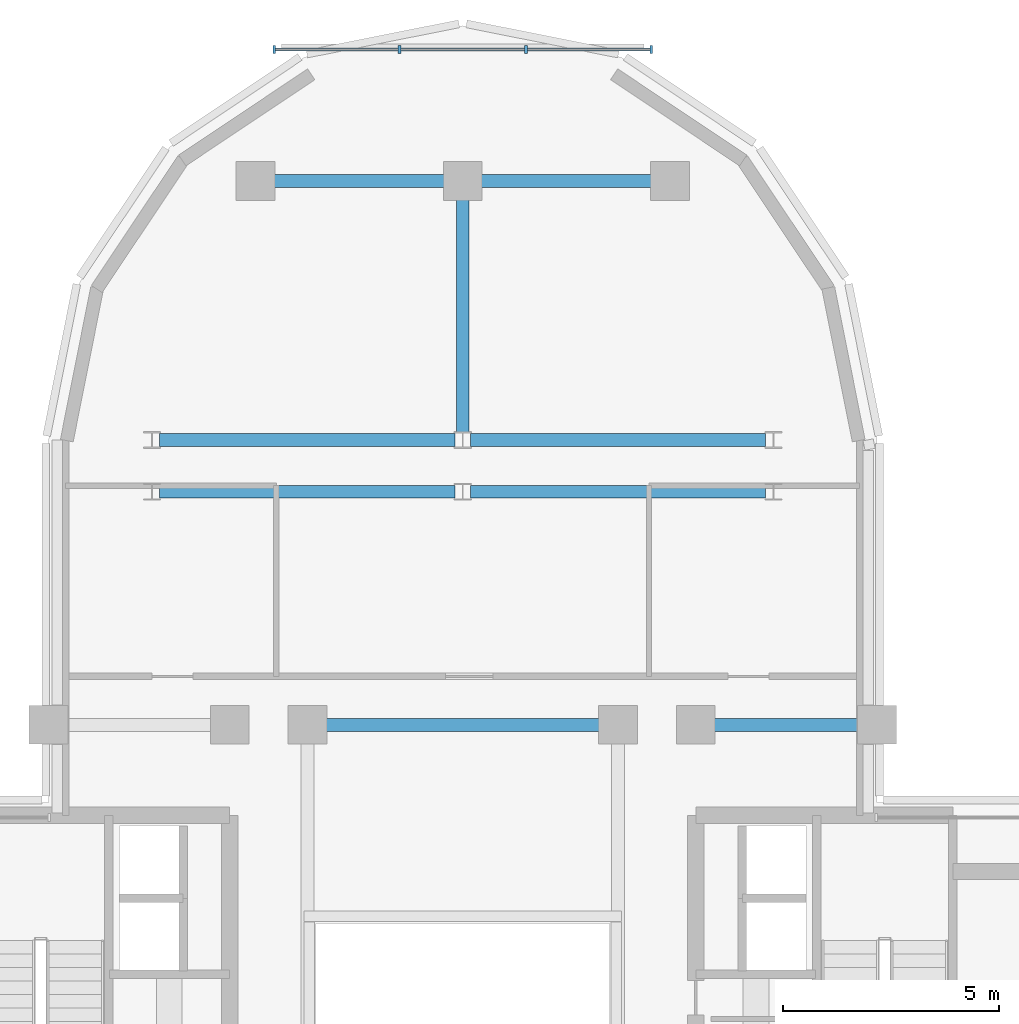
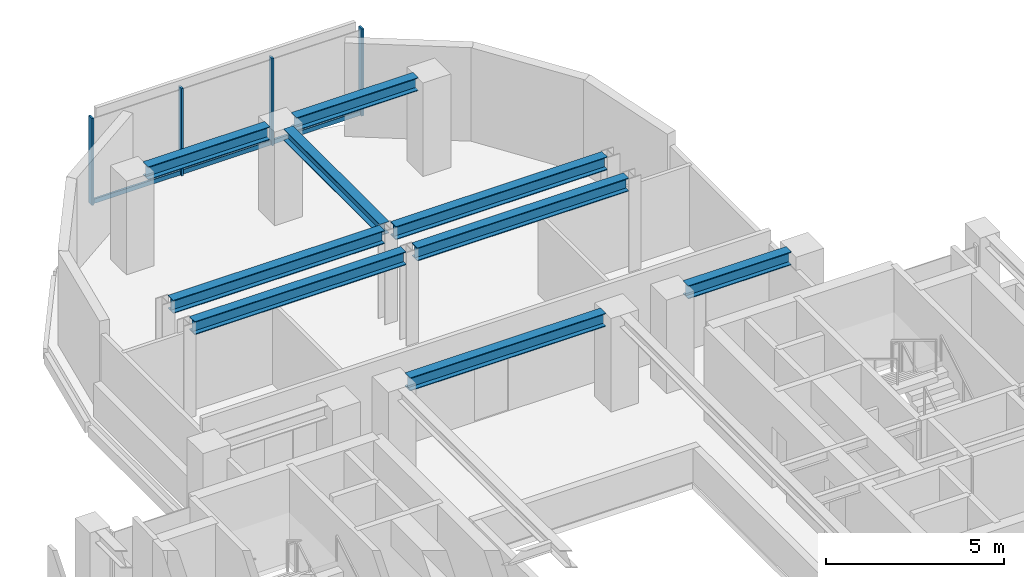
# One storey, part 4 of 11: 9 beams, 7 members, 1 element without a shape of its own.
"""IFC4 building model written with IfcOpenShell, lengths in metres."""

from ifc_helpers import new_model, si_unit, direction, frame, origin, origin_2d, place, context, subcontext, project, spatial, rectangle, i_section, extrude, source, transform, mapped, material, material_profile, profile_set, type_object, element, aggregate, save


model = new_model("IFC4")

# Units and contexts
model_context = context("Model", 3, precision=1e-05, world=origin(), true_north=direction((0.0, 1.0)))
body_context = subcontext(model_context, "Body", "Model", "MODEL_VIEW")
ifc_project = project(units=[si_unit("LENGTHUNIT", "METRE"), si_unit("AREAUNIT", "SQUARE_METRE"), si_unit("VOLUMEUNIT", "CUBIC_METRE"), si_unit("PLANEANGLEUNIT", "RADIAN"), si_unit("MASSUNIT", "GRAM", prefix="KILO")], contexts=[model_context])

# Site, building, storey
site_placement = place(None, origin())
site = spatial("IfcSite", under=ifc_project, at=site_placement, CompositionType="ELEMENT")
building_placement = place(site_placement, origin())
building = spatial("IfcBuilding", under=site, at=building_placement, Name="Keilestroom Media Tower", CompositionType="ELEMENT")
storey_placement = place(building_placement, frame((0.0, 0.0, 174.0)))
storey = spatial("IfcBuildingStorey", under=building, at=storey_placement, Name="L47", CompositionType="ELEMENT", Elevation=174.0)

# Beams
ifc_material_1 = material(Name="Steel S355", Category="steel")
ifc_material_profile_1 = material_profile(ifc_material_1, i_section(OverallWidth=0.300048828125, OverallDepth=0.449951171875, WebThickness=0.011962890625, FlangeThickness=0.02587890625, at=origin_2d()), Name="HEB 450")
ifc_profile_set_1 = profile_set([ifc_material_profile_1], Name="Steel S355")
beam_type_1 = type_object("IfcBeamType", Name="Primary-Structural-Girder-HEB-450", PredefinedType="BEAM", material=ifc_profile_set_1)
shared_shape_1 = source(origin(), body_context, "Body", "SweptSolid", [
    extrude(i_section(OverallWidth=0.300048828125, OverallDepth=0.449951171875, WebThickness=0.011962890625, FlangeThickness=0.02587890625, at=origin_2d()), origin(), (0.0, 0.0, 1.0), 3.940185546875),
])
for number, where, z_axis, x_axis, name in (
    (1, (-4.3701171875, 21.60009765625, 2.97509765625), (1.0, 0.0, 0.0), (0.0, 1.0, 0.0), "L47 Beam BG-7 BM-L47-EW-029"),
    (2, (0.429931640625, 21.60009765625, 2.97509765625), (1.0, 0.0, 0.0), (0.0, 1.0, 0.0), "L47 Beam BG-7 BM-L47-EW-030"),
):
    element("IfcBeam", number, at=place(storey_placement, frame(where, z_axis=z_axis, x_axis=x_axis)), inside=storey, type_object=beam_type_1, Name=name, PredefinedType="BEAM", context=body_context, shape_type="MappedRepresentation", body=[
        mapped(shared_shape_1, transform((0.0, 0.0, 0.0), x_axis=(1.0, 0.0, 0.0), y_axis=(0.0, 1.0, 0.0), z_axis=(0.0, 0.0, 1.0), scale=1.0)),
    ])
shared_shape_2 = source(origin(), body_context, "Body", "SweptSolid", [
    extrude(i_section(OverallWidth=0.300048828125, OverallDepth=0.449951171875, WebThickness=0.011962890625, FlangeThickness=0.02587890625, at=origin_2d()), origin(), (0.0, 0.0, 1.0), 6.842041015625),
])
for number, where, z_axis, x_axis, name in (
    (3, (-7.02099609375, 14.39990234375, 2.97509765625), (1.0, 0.0, 0.0), (0.0, 1.0, 0.0), "L47 Beam BG-7 BM-L47-EW-025"),
    (4, (0.178955078125, 14.39990234375, 2.97509765625), (1.0, 0.0, 0.0), (0.0, 1.0, 0.0), "L47 Beam BG-7 BM-L47-EW-026"),
    (5, (-7.02099609375, 15.60009765625, 2.97509765625), (1.0, 0.0, 0.0), (0.0, 1.0, 0.0), "L47 Beam BG-7 BM-L47-EW-027"),
    (6, (0.178955078125, 15.60009765625, 2.97509765625), (1.0, 0.0, 0.0), (0.0, 1.0, 0.0), "L47 Beam BG-7 BM-L47-EW-028"),
):
    element("IfcBeam", number, at=place(storey_placement, frame(where, z_axis=z_axis, x_axis=x_axis)), inside=storey, type_object=beam_type_1, Name=name, PredefinedType="BEAM", context=body_context, shape_type="MappedRepresentation", body=[
        mapped(shared_shape_2, transform((0.0, 0.0, 0.0), x_axis=(1.0, 0.0, 0.0), y_axis=(0.0, 1.0, 0.0), z_axis=(0.0, 0.0, 1.0), scale=1.0)),
    ])
shared_shape_3 = source(origin(), body_context, "Body", "SweptSolid", [
    extrude(i_section(OverallWidth=0.300048828125, OverallDepth=0.449951171875, WebThickness=0.011962890625, FlangeThickness=0.02587890625, at=origin_2d()), origin(), (0.0, 0.0, 1.0), 3.33984375),
])
beam_1_placement = place(storey_placement, frame((5.830078125, 9.0, 2.97509765625), z_axis=(1.0, 0.0, 0.0), x_axis=(0.0, 1.0, 0.0)))
element("IfcBeam", 7, at=beam_1_placement, inside=storey, type_object=beam_type_1, Name="L47 Beam BG-7 BM-L47-EW-024", PredefinedType="BEAM", context=body_context, shape_type="MappedRepresentation", body=[
    mapped(shared_shape_3, transform((0.0, 0.0, 0.0), x_axis=(1.0, 0.0, 0.0), y_axis=(0.0, 1.0, 0.0), z_axis=(0.0, 0.0, 1.0), scale=1.0)),
])
shared_shape_4 = source(origin(), body_context, "Body", "SweptSolid", [
    extrude(i_section(OverallWidth=0.300048828125, OverallDepth=0.449951171875, WebThickness=0.011962890625, FlangeThickness=0.02587890625, at=origin_2d()), origin(), (0.0, 0.0, 1.0), 6.33984375),
])
beam_2_placement = place(storey_placement, frame((-3.169921875, 9.0, 2.97509765625), z_axis=(1.0, 0.0, 0.0), x_axis=(0.0, 1.0, 0.0)))
element("IfcBeam", 8, at=beam_2_placement, inside=storey, type_object=beam_type_1, Name="L47 Beam BG-7 BM-L47-EW-022", PredefinedType="BEAM", context=body_context, shape_type="MappedRepresentation", body=[
    mapped(shared_shape_4, transform((0.0, 0.0, 0.0), x_axis=(1.0, 0.0, 0.0), y_axis=(0.0, 1.0, 0.0), z_axis=(0.0, 0.0, 1.0), scale=1.0)),
])
ifc_material_profile_2 = material_profile(ifc_material_1, i_section(OverallWidth=0.300048828125, OverallDepth=0.39990234375, WebThickness=0.011474609375, FlangeThickness=0.02392578125, at=origin_2d()), Name="HEB 400")
ifc_profile_set_2 = profile_set([ifc_material_profile_2], Name="Steel S355")
beam_type_2 = type_object("IfcBeamType", Name="Primary-Structural-Girder-HEB-400", PredefinedType="BEAM", material=ifc_profile_set_2)
shared_shape_5 = source(origin(), body_context, "Body", "SweptSolid", [
    extrude(i_section(OverallWidth=0.300048828125, OverallDepth=0.39990234375, WebThickness=0.011474609375, FlangeThickness=0.02392578125, at=origin_2d()), origin(), (0.0, 0.0, 1.0), 5.396484375),
])
beam_3_placement = place(storey_placement, frame((0.0, 15.7734375, 3.0), z_axis=(0.0, 1.0, 0.0), x_axis=(-1.0, 0.0, 0.0)))
element("IfcBeam", 9, at=beam_3_placement, inside=storey, type_object=beam_type_2, Name="L47 Beam BG-8 BM-L47-NS-044", PredefinedType="BEAM", context=body_context, shape_type="MappedRepresentation", body=[
    mapped(shared_shape_5, transform((0.0, 0.0, 0.0), x_axis=(1.0, 0.0, 0.0), y_axis=(0.0, 1.0, 0.0), z_axis=(0.0, 0.0, 1.0), scale=1.0)),
])

# Curtain wall, members
ifc_material_2 = material(Name="Anodised Aluminium Alloy", Category="aluminium")
curtain_wall_type = type_object("IfcCurtainWallType", Name="Unitised-Curtain-Wall-CW-6", PredefinedType="NOTDEFINED", material=ifc_material_2)
curtain_wall_placement = place(storey_placement, origin())
curtain_wall = element("IfcCurtainWall", 10, at=curtain_wall_placement, inside=storey, type_object=curtain_wall_type, Name="L47 Curtain Wall CW-6 CW-L47-LN-1", PredefinedType="NOTDEFINED")
ifc_material_profile_3 = material_profile(ifc_material_2, rectangle(XDim=0.06494140625, YDim=0.179931640625, at=origin_2d()), Name="ALU MULLION 65x180")
ifc_profile_set_3 = profile_set([ifc_material_profile_3], Name="Anodised Aluminium Alloy")
member_type_1 = type_object("IfcMemberType", Name="Curtain-Wall-Mullion-CW-6", PredefinedType="MULLION", material=ifc_profile_set_3)
shared_shape_6 = source(origin(), body_context, "Body", "SweptSolid", [
    extrude(rectangle(XDim=0.06494140625, YDim=0.179931640625, at=origin_2d()), origin(), (0.0, 0.0, 1.0), 2.97998046875),
])
member_1_placement = place(storey_placement, frame((-4.367431640625, 24.64990234375, 0.0), z_axis=(0.0, 0.0, 1.0), x_axis=(1.0, 0.0, 0.0)))
member_1 = element("IfcMember", 11, at=member_1_placement, type_object=member_type_1, Name="CW-6 Mullion 00", PredefinedType="MULLION", context=body_context, shape_type="MappedRepresentation", body=[
    mapped(shared_shape_6, transform((0.0, 0.0, 0.0), x_axis=(1.0, 0.0, 0.0), y_axis=(0.0, 1.0, 0.0), z_axis=(0.0, 0.0, 1.0), scale=1.0)),
])
member_2_placement = place(storey_placement, frame((-1.466796875, 24.64990234375, 0.0), z_axis=(0.0, 0.0, 1.0), x_axis=(1.0, 0.0, 0.0)))
member_2 = element("IfcMember", 12, at=member_2_placement, type_object=member_type_1, Name="CW-6 Mullion 01", PredefinedType="MULLION", context=body_context, shape_type="MappedRepresentation", body=[
    mapped(shared_shape_6, transform((0.0, 0.0, 0.0), x_axis=(1.0, 0.0, 0.0), y_axis=(0.0, 1.0, 0.0), z_axis=(0.0, 0.0, 1.0), scale=1.0)),
])
member_3_placement = place(storey_placement, frame((1.466796875, 24.64990234375, 0.0), z_axis=(0.0, 0.0, 1.0), x_axis=(1.0, 0.0, 0.0)))
member_3 = element("IfcMember", 13, at=member_3_placement, type_object=member_type_1, Name="CW-6 Mullion 02", PredefinedType="MULLION", context=body_context, shape_type="MappedRepresentation", body=[
    mapped(shared_shape_6, transform((0.0, 0.0, 0.0), x_axis=(1.0, 0.0, 0.0), y_axis=(0.0, 1.0, 0.0), z_axis=(0.0, 0.0, 1.0), scale=1.0)),
])
member_4_placement = place(storey_placement, frame((4.367431640625, 24.64990234375, 0.0), z_axis=(0.0, 0.0, 1.0), x_axis=(1.0, 0.0, 0.0)))
member_4 = element("IfcMember", 14, at=member_4_placement, type_object=member_type_1, Name="CW-6 Mullion 03", PredefinedType="MULLION", context=body_context, shape_type="MappedRepresentation", body=[
    mapped(shared_shape_6, transform((0.0, 0.0, 0.0), x_axis=(1.0, 0.0, 0.0), y_axis=(0.0, 1.0, 0.0), z_axis=(0.0, 0.0, 1.0), scale=1.0)),
])
ifc_material_profile_4 = material_profile(ifc_material_2, rectangle(XDim=0.06494140625, YDim=0.14990234375, at=origin_2d()), Name="ALU TRANSOM 65x150")
ifc_profile_set_4 = profile_set([ifc_material_profile_4], Name="Anodised Aluminium Alloy")
member_type_2 = type_object("IfcMemberType", Name="Curtain-Wall-Transom-CW-6", PredefinedType="USERDEFINED", material=ifc_profile_set_4)
shared_shape_7 = source(origin(), body_context, "Body", "SweptSolid", [
    extrude(rectangle(XDim=0.06494140625, YDim=0.14990234375, at=origin_2d()), origin(), (0.0, 0.0, 1.0), 2.839599609375),
])
member_5_placement = place(storey_placement, frame((-4.3369140625, 24.64990234375, 0.074951171875), z_axis=(1.0, 0.0, 0.0), x_axis=(0.0, 1.0, 0.0)))
member_5 = element("IfcMember", 15, at=member_5_placement, type_object=member_type_2, Name="CW-6 Transom 00.1", ObjectType="TRANSOM", PredefinedType="USERDEFINED", context=body_context, shape_type="MappedRepresentation", body=[
    mapped(shared_shape_7, transform((0.0, 0.0, 0.0), x_axis=(1.0, 0.0, 0.0), y_axis=(0.0, 1.0, 0.0), z_axis=(0.0, 0.0, 1.0), scale=1.0)),
])
member_6_placement = place(storey_placement, frame((1.497314453125, 24.64990234375, 0.074951171875), z_axis=(1.0, 0.0, 0.0), x_axis=(0.0, 1.0, 0.0)))
member_6 = element("IfcMember", 16, at=member_6_placement, type_object=member_type_2, Name="CW-6 Transom 02.1", ObjectType="TRANSOM", PredefinedType="USERDEFINED", context=body_context, shape_type="MappedRepresentation", body=[
    mapped(shared_shape_7, transform((0.0, 0.0, 0.0), x_axis=(1.0, 0.0, 0.0), y_axis=(0.0, 1.0, 0.0), z_axis=(0.0, 0.0, 1.0), scale=1.0)),
])
shared_shape_8 = source(origin(), body_context, "Body", "SweptSolid", [
    extrude(rectangle(XDim=0.06494140625, YDim=0.14990234375, at=origin_2d()), origin(), (0.0, 0.0, 1.0), 2.87255859375),
])
member_7_placement = place(storey_placement, frame((-1.436279296875, 24.64990234375, 0.074951171875), z_axis=(1.0, 0.0, 0.0), x_axis=(0.0, 1.0, 0.0)))
member_7 = element("IfcMember", 17, at=member_7_placement, type_object=member_type_2, Name="CW-6 Transom 01.1", ObjectType="TRANSOM", PredefinedType="USERDEFINED", context=body_context, shape_type="MappedRepresentation", body=[
    mapped(shared_shape_8, transform((0.0, 0.0, 0.0), x_axis=(1.0, 0.0, 0.0), y_axis=(0.0, 1.0, 0.0), z_axis=(0.0, 0.0, 1.0), scale=1.0)),
])
aggregate(curtain_wall, [member_1, member_2, member_3, member_4, member_5, member_7, member_6])

save(model, "model.ifc")
